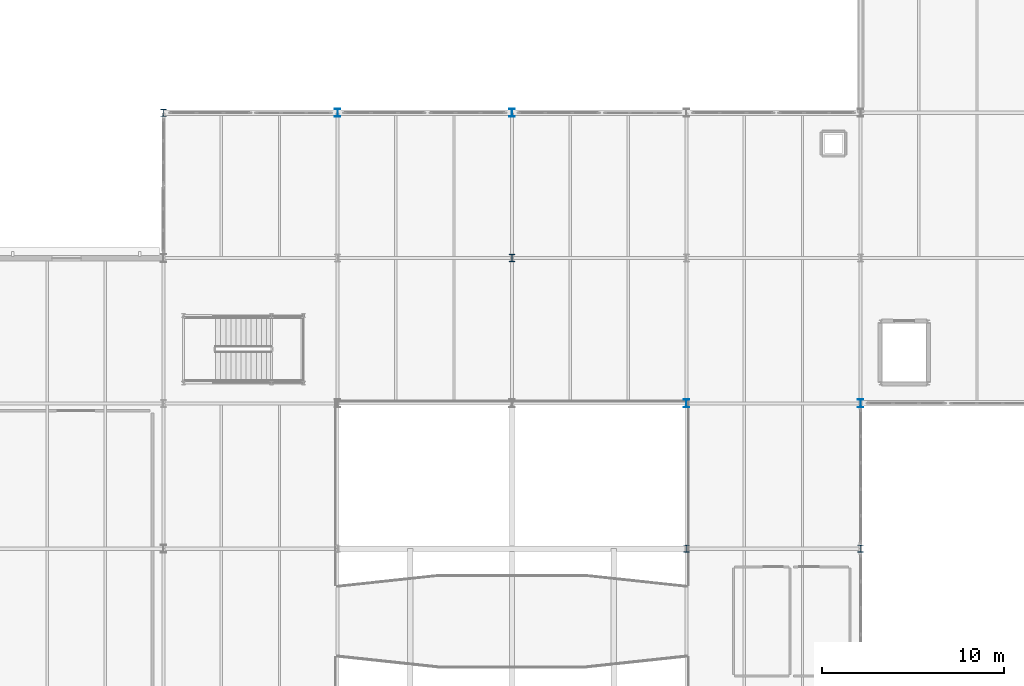
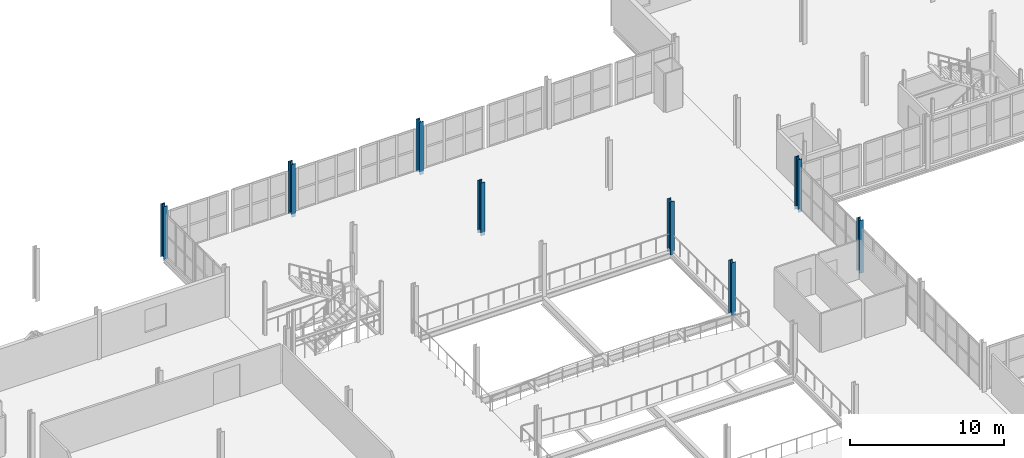
# One storey, part 17 of 85: 8 columns.
"""IFC4 building model written with IfcOpenShell, lengths in metres."""

import ifcopenshell
import ifcopenshell.guid

model = None  # the IFC model being written
_history = None  # IfcOwnerHistory: only IFC2X3 demands one
_inside = {}  # id of a spatial element -> (the spatial element, [elements in it])
_under = {}  # id of a project, library or spatial element -> (it, [spatial elements below it])
_declared = {}  # id of a project -> (the project, [libraries it declares])
_typed = {}  # id of a type object -> (the type object, [elements of that type])
_made_of = {}  # id of a material, layer set ... -> (it, [elements and type objects made of it])


def new_model(schema):
    """Start an empty IFC model of exactly this schema.

    Asked for "IFC4X3", IfcOpenShell would pick the latest addendum, in which some entities
    have other attributes; the version numbers below select the first issue.
    IFC2X3 requires an IfcOwnerHistory on every rooted entity: one is made here for all.
    """
    global model, _history
    if schema == "IFC4X3":
        model = ifcopenshell.file(schema_version=(4, 3, 0, 0))
    else:
        model = ifcopenshell.file(schema=schema)
    _inside.clear()
    _under.clear()
    _declared.clear()
    _typed.clear()
    _made_of.clear()
    _history = None
    if model.schema == "IFC2X3":
        org = make("IfcOrganization", Name="unknown")
        user = make(
            "IfcPersonAndOrganization",
            ThePerson=make("IfcPerson", FamilyName="unknown"),
            TheOrganization=org,
        )
        app = make(
            "IfcApplication",
            ApplicationDeveloper=org,
            Version="unknown",
            ApplicationFullName="unknown",
            ApplicationIdentifier="unknown",
        )
        _history = make(
            "IfcOwnerHistory",
            OwningUser=user,
            OwningApplication=app,
            ChangeAction="ADDED",
            CreationDate=0,
        )
    return model


def make(cls, **values):
    """One entity of the class cls with the attributes given. An attribute that is None is left unset."""
    return model.create_entity(
        cls, **{name: value for name, value in values.items() if value is not None}
    )


def rooted(cls, **values):
    """An entity with a GlobalId (a new one), such as an element, a storey or a relation."""
    return make(cls, GlobalId=ifcopenshell.guid.new(), OwnerHistory=_history, **values)


def si_unit(unit_type, name, prefix=None):
    """IfcSIUnit, for example si_unit("LENGTHUNIT", "METRE", prefix="MILLI")."""
    return make("IfcSIUnit", UnitType=unit_type, Prefix=prefix, Name=name)


def assignment(units):
    """IfcUnitAssignment: the units of a project."""
    return None if units is None else make("IfcUnitAssignment", Units=units)


def point(xyz):
    """IfcCartesianPoint."""
    return None if xyz is None else make("IfcCartesianPoint", Coordinates=xyz)


def direction(xyz):
    """IfcDirection."""
    return None if xyz is None else make("IfcDirection", DirectionRatios=xyz)


def frame(location, z_axis=None, x_axis=None):
    """IfcAxis2Placement3D, a coordinate frame: its origin and axes. An axis left out is left unset."""
    return make(
        "IfcAxis2Placement3D",
        Location=point(location),
        Axis=direction(z_axis),
        RefDirection=direction(x_axis),
    )


def frame_2d(location, x_axis=None):
    """IfcAxis2Placement2D, a coordinate frame in the plane: its origin and x axis."""
    return make(
        "IfcAxis2Placement2D", Location=point(location), RefDirection=direction(x_axis)
    )


def origin():
    """The frame at (0, 0, 0) with its axes left unset."""
    return frame((0.0, 0.0, 0.0))


def origin_2d():
    """The frame at (0, 0) in the plane with its x axis left unset."""
    return frame_2d((0.0, 0.0))


def place(relative_to, where):
    """IfcLocalPlacement: puts the frame where relative to a parent placement (None: the world)."""
    return make(
        "IfcLocalPlacement", PlacementRelTo=relative_to, RelativePlacement=where
    )


def context(
    kind, dimensions, precision=None, world=None, true_north=None, identifier=None
):
    """IfcGeometricRepresentationContext, for example the 3D "Model" context."""
    return make(
        "IfcGeometricRepresentationContext",
        ContextIdentifier=identifier,
        ContextType=kind,
        CoordinateSpaceDimension=dimensions,
        Precision=precision,
        WorldCoordinateSystem=world,
        TrueNorth=true_north,
    )


def subcontext(parent, identifier, kind, view, scale=None):
    """IfcGeometricRepresentationSubContext, for example "Body" below "Model"."""
    return make(
        "IfcGeometricRepresentationSubContext",
        ContextIdentifier=identifier,
        ContextType=kind,
        ParentContext=parent,
        TargetScale=scale,
        TargetView=view,
    )


def project(units=None, contexts=None):
    """IfcProject with its units and contexts."""
    return rooted(
        "IfcProject",
        Name="project",
        RepresentationContexts=contexts,
        UnitsInContext=assignment(units),
    )


def spatial(cls, under=None, at=None, **own):
    """A site, building, storey or space (cls), placed at a placement, below another one or the project."""
    s = rooted(cls, ObjectPlacement=at, **own)
    if under is not None:
        _under.setdefault(under.id(), (under, []))[1].append(s)
    return s


def profile(cls, at=None, kind="AREA", **sizes):
    """A parametric profile (cls). Its sizes go by their IFC names, for example OverallWidth=200.0."""
    return make(cls, ProfileType=kind, Position=at, **sizes)


def i_section(**sizes):
    """IfcIShapeProfileDef."""
    return profile("IfcIShapeProfileDef", **sizes)


def extrude(swept, where, along, depth):
    """IfcExtrudedAreaSolid: the profile swept, set in the frame where, extruded along a direction by depth."""
    return make(
        "IfcExtrudedAreaSolid",
        SweptArea=swept,
        Position=where,
        ExtrudedDirection=direction(along),
        Depth=depth,
    )


def shape(context_of_items, identifier, shape_type, items):
    """IfcShapeRepresentation: the items that make up one representation, for example the "Body"."""
    return make(
        "IfcShapeRepresentation",
        ContextOfItems=context_of_items,
        RepresentationIdentifier=identifier,
        RepresentationType=shape_type,
        Items=items,
    )


def material(Name=None, Category=None):
    """IfcMaterial."""
    return make("IfcMaterial", Name=Name, Category=Category)


def material_profile(
    of_material, cross_section, Name=None, Category=None, Priority=None
):
    """IfcMaterialProfile: a cross section and its material."""
    return make(
        "IfcMaterialProfile",
        Name=Name,
        Material=of_material,
        Profile=cross_section,
        Priority=Priority,
        Category=Category,
    )


def profile_set(profiles, Name=None, composite=None):
    """IfcMaterialProfileSet."""
    return make(
        "IfcMaterialProfileSet",
        Name=Name,
        MaterialProfiles=profiles,
        CompositeProfile=composite,
    )


def made_of(thing, what):
    """Note that an element or type object is made of a material, layer set ...; save() writes the relation."""
    if what is not None:
        _made_of.setdefault(what.id(), (what, []))[1].append(thing)
    return thing


def type_object(cls, material=None, **own):
    """A type object (cls), such as IfcWallType, which elements share."""
    return made_of(rooted(cls, **own), material)


def element(
    cls,
    number,
    at=None,
    inside=None,
    cuts=None,
    type_object=None,
    material=None,
    context=None,
    identifier="Body",
    shape_type=None,
    held_by="IfcProductDefinitionShape",
    body=None,
    shapes=None,
    **own,
):
    """One element of the class cls, such as IfcWall. Its Tag is "e" and its number.

    at: its placement. inside: the storey or other place that contains it. cuts: it is an
    opening in that element (IfcRelVoidsElement). A single representation is given by context,
    identifier, shape_type and body (its items); several are given by shapes. held_by: the class
    of the entity that holds the representations. save() writes the other relations.
    """
    e = rooted(cls, Tag="e%d" % number, ObjectPlacement=at, **own)
    if body is not None:
        shapes = [shape(context, identifier, shape_type, body)]
    if shapes is not None:
        e.Representation = make(held_by, Representations=shapes)
    if inside is not None:
        _inside.setdefault(inside.id(), (inside, []))[1].append(e)
    if cuts is not None:
        rooted(
            "IfcRelVoidsElement", RelatingBuildingElement=cuts, RelatedOpeningElement=e
        )
    if type_object is not None:
        _typed.setdefault(type_object.id(), (type_object, []))[1].append(e)
    return made_of(e, material)


def aggregate(whole, parts):
    """IfcRelAggregates: a whole, such as a stair, and the parts it consists of."""
    return rooted("IfcRelAggregates", RelatingObject=whole, RelatedObjects=parts)


def save(model, path):
    """Write the relations noted so far, then the file.

    IfcRelAggregates (storeys below a building ...), IfcRelContainedInSpatialStructure (elements
    in a storey), IfcRelDefinesByType, IfcRelAssociatesMaterial and IfcRelDeclares: one each for
    every whole, place, type object, material and project.
    """
    for whole, parts in _under.values():
        aggregate(whole, parts)
    for where, things in _inside.values():
        rooted(
            "IfcRelContainedInSpatialStructure",
            RelatedElements=things,
            RelatingStructure=where,
        )
    for kind, things in _typed.values():
        rooted("IfcRelDefinesByType", RelatedObjects=things, RelatingType=kind)
    for what, things in _made_of.values():
        rooted("IfcRelAssociatesMaterial", RelatedObjects=things, RelatingMaterial=what)
    for by, libraries in _declared.values():
        rooted("IfcRelDeclares", RelatingContext=by, RelatedDefinitions=libraries)
    model.write(path)


model = new_model("IFC4")

# Units and contexts
model_context = context("Model", 3, precision=1e-05, world=origin(), true_north=direction((0.0, 1.0)))
body_context = subcontext(model_context, "Body", "Model", "MODEL_VIEW")
ifc_project = project(units=[si_unit("LENGTHUNIT", "METRE"), si_unit("AREAUNIT", "SQUARE_METRE"), si_unit("VOLUMEUNIT", "CUBIC_METRE"), si_unit("PLANEANGLEUNIT", "RADIAN"), si_unit("MASSUNIT", "GRAM", prefix="KILO")], contexts=[model_context])

# Site, building, storey
site_placement = place(None, origin())
site = spatial("IfcSite", under=ifc_project, at=site_placement, CompositionType="ELEMENT")
building_placement = place(site_placement, origin())
building = spatial("IfcBuilding", under=site, at=building_placement, Name="Alderhovde Museum", CompositionType="ELEMENT")
storey_placement = place(building_placement, frame((0.0, 0.0, 8.699951171875)))
storey = spatial("IfcBuildingStorey", under=building, at=storey_placement, Name="L02", CompositionType="ELEMENT", Elevation=8.699951171875)

# Columns
ifc_material_1 = material(Name="Steel S355J2", Category="steel")
ifc_material_profile_1 = material_profile(ifc_material_1, i_section(OverallWidth=0.300048828125, OverallDepth=0.39990234375, WebThickness=0.013427734375, FlangeThickness=0.02392578125, FilletRadius=0.027099609375, at=origin_2d()), Name="HEB 400")
ifc_profile_set_1 = profile_set([ifc_material_profile_1], Name="Steel S355J2")
column_type_1 = type_object("IfcColumnType", Name="COL-HEB400", PredefinedType="COLUMN", material=ifc_profile_set_1)
for number, where, z_axis, x_axis, name in (
    (1, (76.800048828125, 88.0, -0.260009765625), (0.0, 0.0, 1.0), (1.0, 0.0, 0.0), "L02 Column (76.8, 88.0)"),
    (2, (96.0, 80.0, -0.260009765625), (0.0, 0.0, 1.0), (1.0, 0.0, 0.0), "L02 Column (96.0, 80.0)"),
    (3, (105.60009765625, 64.0, -0.260009765625), (0.0, 0.0, 1.0), (1.0, 0.0, 0.0), "L02 Column (105.6, 64.0)"),
    (4, (115.199951171875, 64.0, -0.260009765625), (0.0, 0.0, 1.0), (1.0, 0.0, 0.0), "L02 Column (115.2, 64.0)"),
):
    element("IfcColumn", number, at=place(storey_placement, frame(where, z_axis=z_axis, x_axis=x_axis)), inside=storey, type_object=column_type_1, Name=name, PredefinedType="COLUMN", context=body_context, shape_type="SweptSolid", body=[
        extrude(i_section(OverallWidth=0.300048828125, OverallDepth=0.39990234375, WebThickness=0.013427734375, FlangeThickness=0.02392578125, FilletRadius=0.027099609375, at=origin_2d()), origin(), (0.0, 0.0, 1.0), 4.199951171875),
    ])
ifc_material_2 = material(Name="Steel S355J2", Category="steel")
ifc_material_profile_2 = material_profile(ifc_material_2, i_section(OverallWidth=0.300048828125, OverallDepth=0.449951171875, WebThickness=0.013916015625, FlangeThickness=0.02587890625, FilletRadius=0.027099609375, at=origin_2d()), Name="HEB 450")
ifc_profile_set_2 = profile_set([ifc_material_profile_2], Name="Steel S355J2")
column_type_2 = type_object("IfcColumnType", Name="COL-HEB450", PredefinedType="COLUMN", material=ifc_profile_set_2)
for number, where, z_axis, x_axis, name in (
    (5, (86.39990234375, 88.0, -0.260009765625), (0.0, 0.0, 1.0), (1.0, 0.0, 0.0), "L02 Column (86.4, 88.0)"),
    (6, (96.0, 88.0, -0.260009765625), (0.0, 0.0, 1.0), (1.0, 0.0, 0.0), "L02 Column (96.0, 88.0)"),
    (7, (105.60009765625, 72.0, -0.260009765625), (0.0, 0.0, 1.0), (1.0, 0.0, 0.0), "L02 Column (105.6, 72.0)"),
    (8, (115.199951171875, 72.0, -0.260009765625), (0.0, 0.0, 1.0), (1.0, 0.0, 0.0), "L02 Column (115.2, 72.0)"),
):
    element("IfcColumn", number, at=place(storey_placement, frame(where, z_axis=z_axis, x_axis=x_axis)), inside=storey, type_object=column_type_2, Name=name, PredefinedType="COLUMN", context=body_context, shape_type="SweptSolid", body=[
        extrude(i_section(OverallWidth=0.300048828125, OverallDepth=0.449951171875, WebThickness=0.013916015625, FlangeThickness=0.02587890625, FilletRadius=0.027099609375, at=origin_2d()), origin(), (0.0, 0.0, 1.0), 4.199951171875),
    ])

save(model, "model.ifc")
